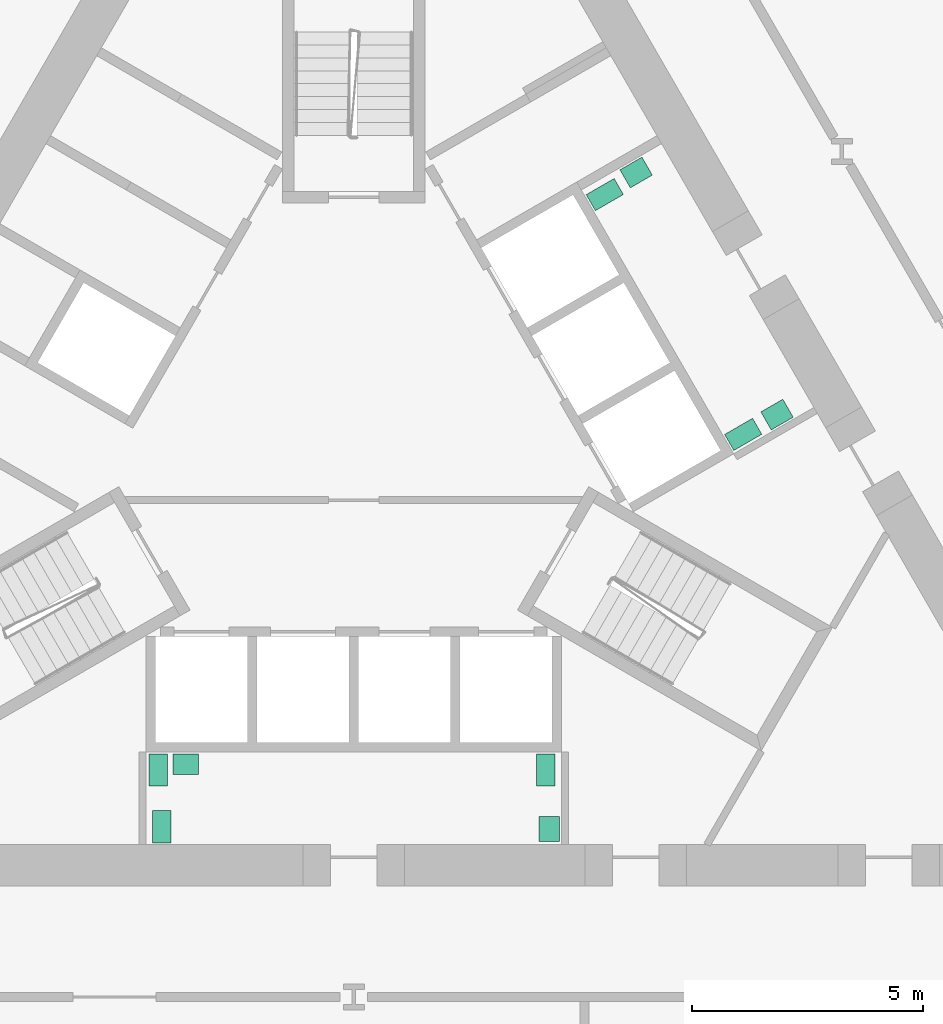
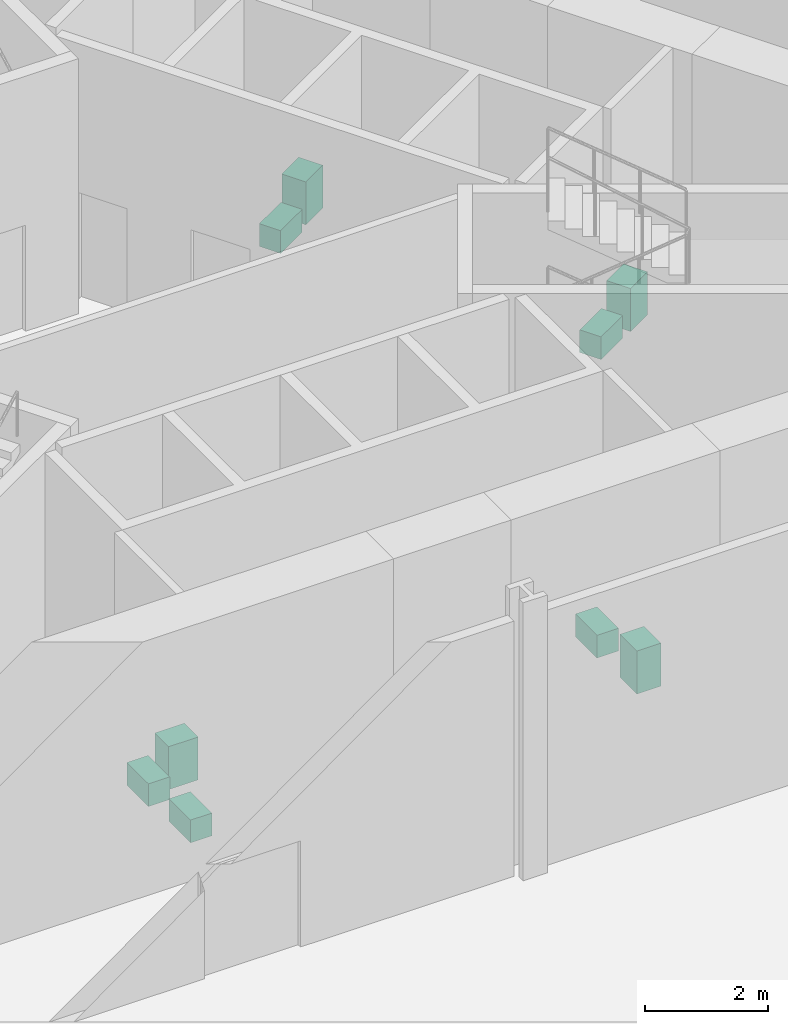
# One storey, part 10 of 10: 9 sanitary terminals.
"""IFC4 building model written with IfcOpenShell, lengths in metres."""

from ifc_helpers import new_model, si_unit, direction, frame, origin, origin_2d, place, context, subcontext, project, spatial, rectangle, extrude, material, type_object, element, save


model = new_model("IFC4")

# Units and contexts
model_context = context("Model", 3, precision=1e-05, world=origin(), true_north=direction((0.0, 1.0)))
body_context = subcontext(model_context, "Body", "Model", "MODEL_VIEW")
ifc_project = project(units=[si_unit("LENGTHUNIT", "METRE"), si_unit("AREAUNIT", "SQUARE_METRE"), si_unit("VOLUMEUNIT", "CUBIC_METRE"), si_unit("PLANEANGLEUNIT", "RADIAN"), si_unit("MASSUNIT", "GRAM", prefix="KILO")], contexts=[model_context])

# Site, building, storey
site_placement = place(None, origin())
site = spatial("IfcSite", under=ifc_project, at=site_placement, CompositionType="ELEMENT")
building_placement = place(site_placement, origin())
building = spatial("IfcBuilding", under=site, at=building_placement, Name="Cormorant Prow Tower", CompositionType="ELEMENT")
storey_placement = place(building_placement, frame((0.0, 0.0, 10.0)))
storey = spatial("IfcBuildingStorey", under=building, at=storey_placement, Name="L01", CompositionType="ELEMENT", Elevation=10.0)

# Sanitary terminals
ifc_material_1 = material(Name="Vitreous china")
sanitary_terminal_type_1 = type_object("IfcSanitaryTerminalType", Name="Wash basin 550x450", PredefinedType="WASHHANDBASIN", material=ifc_material_1)
for number, where, z_axis, x_axis, name in (
    (1, (4.235107421875, -8.574951171875, 0.0), (0.0, 0.0, 1.0), (0.0, 1.0, 0.0), "Wash basin"),
    (2, (-3.639892578125, -7.1708984375, 0.0), (0.0, 0.0, 1.0), (-1.0, 0.0, 0.0), "Wash basin"),
    (3, (6.118896484375, 5.651611328125, 0.0), (0.0, 0.0, 1.0), (-0.866042856549, -0.499969769706, 0.0), "Wash basin"),
    (4, (9.172119140625, 0.405517578125, 0.0), (0.0, 0.0, 1.0), (0.866016677006, 0.500015114919, 0.0), "Wash basin"),
):
    element("IfcSanitaryTerminal", number, at=place(storey_placement, frame(where, z_axis=z_axis, x_axis=x_axis)), inside=storey, type_object=sanitary_terminal_type_1, Name=name, PredefinedType="WASHHANDBASIN", context=body_context, shape_type="SweptSolid", body=[
        extrude(rectangle(XDim=0.550048828125, YDim=0.449951171875, at=origin_2d()), origin(), (0.0, 0.0, 1.0), 0.85009765625),
    ])
ifc_material_2 = material(Name="Vitreous china")
sanitary_terminal_type_2 = type_object("IfcSanitaryTerminalType", Name="Water closet 400x700", PredefinedType="WCSEAT", material=ifc_material_2)
for number, where, z_axis, x_axis, name in (
    (5, (-4.239990234375, -7.2958984375, 0.0), (0.0, 0.0, 1.0), (-1.0, 0.0, 0.0), "Water closet"),
    (6, (4.159912109375, -7.2958984375, 0.0), (0.0, 0.0, 1.0), (-1.0, 0.0, 0.0), "Water closet"),
    (7, (-4.159912109375, -8.52490234375, 0.0), (0.0, 0.0, 1.0), (1.0, 0.0, 0.0), "Water closet"),
    (8, (8.4384765625, -0.02392578125, 0.0), (0.0, 0.0, 1.0), (0.5, -0.866025403784, 0.0), "Water closet"),
    (9, (5.438720703125, 5.172119140625, 0.0), (0.0, 0.0, 1.0), (0.5, -0.866025403784, 0.0), "Water closet"),
):
    element("IfcSanitaryTerminal", number, at=place(storey_placement, frame(where, z_axis=z_axis, x_axis=x_axis)), inside=storey, type_object=sanitary_terminal_type_2, Name=name, PredefinedType="WCSEAT", context=body_context, shape_type="SweptSolid", body=[
        extrude(rectangle(XDim=0.39990234375, YDim=0.699951171875, at=origin_2d()), origin(), (0.0, 0.0, 1.0), 0.449951171875),
    ])

save(model, "model.ifc")
